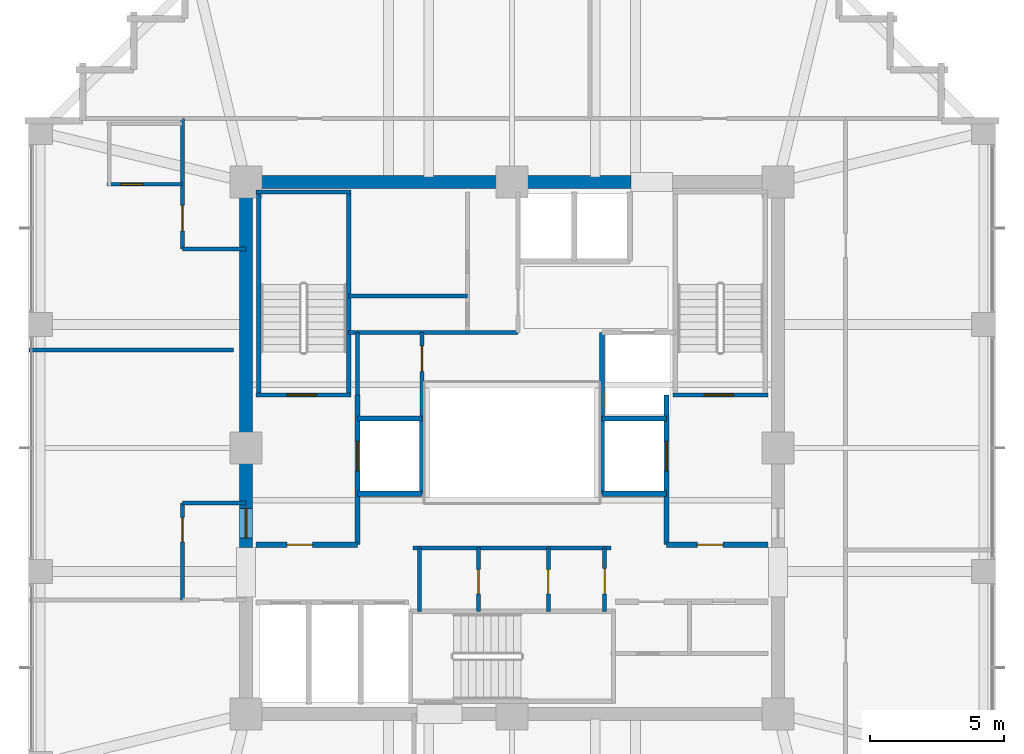
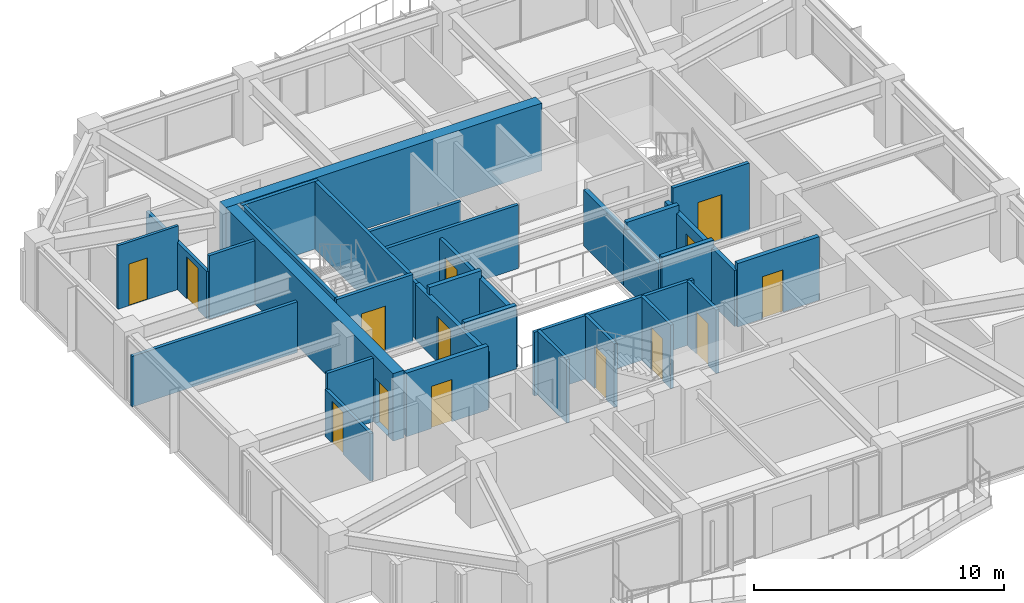
# One storey, part 27 of 31: 33 walls, 14 doors, 14 openings.
"""IFC4 building model written with IfcOpenShell, lengths in metres."""

from ifc_helpers import new_model, si_unit, direction, frame, frame_2d, origin, place, context, subcontext, project, spatial, rectangle, extrude, material, layer, layer_set, type_object, element, fill, save


model = new_model("IFC4")

# Units and contexts
model_context = context("Model", 3, precision=1e-05, world=origin(), true_north=direction((0.0, 1.0)))
body_context = subcontext(model_context, "Body", "Model", "MODEL_VIEW")
ifc_project = project(units=[si_unit("LENGTHUNIT", "METRE"), si_unit("AREAUNIT", "SQUARE_METRE"), si_unit("VOLUMEUNIT", "CUBIC_METRE"), si_unit("PLANEANGLEUNIT", "RADIAN"), si_unit("MASSUNIT", "GRAM", prefix="KILO")], contexts=[model_context])

# Site, building, storey
site_placement = place(None, origin())
site = spatial("IfcSite", under=ifc_project, at=site_placement, CompositionType="ELEMENT")
building_placement = place(site_placement, origin())
building = spatial("IfcBuilding", under=site, at=building_placement, Name="Kolvaren Belvedere", CompositionType="ELEMENT")
storey_placement = place(building_placement, frame((0.0, 0.0, 131.60009765625)))
storey = spatial("IfcBuildingStorey", under=building, at=storey_placement, Name="L38", CompositionType="ELEMENT", Elevation=131.60009765625)

# Wall
ifc_material_1 = material(Name="Concrete C50/60", Category="concrete")
ifc_layer_1 = layer(ifc_material_1, 0.5)
ifc_layer_set_1 = layer_set([ifc_layer_1], Name="Concrete C50/60")
wall_type_1 = type_object("IfcWallType", Name="CW-CORE-500", PredefinedType="SHEAR", material=ifc_layer_set_1)
wall_1_placement = place(storey_placement, frame((-10.14990234375, 9.89990234375, 0.0), z_axis=(0.0, 0.0, 1.0), x_axis=(1.0, 0.0, 0.0)))
element("IfcWall", 1, at=wall_1_placement, inside=storey, type_object=wall_type_1, Name="L38 North Core Shear Wall 1", PredefinedType="SHEAR", context=body_context, shape_type="SweptSolid", body=[
    extrude(rectangle(XDim=14.56982421875, YDim=0.5, at=frame_2d((7.284912109375, 0.0))), origin(), (0.0, 0.0, 1.0), 3.2998046875),
])

# Wall, opening, door
wall_2_placement = place(storey_placement, frame((-9.89990234375, -3.699951171875, 0.0), z_axis=(0.0, 0.0, 1.0), x_axis=(0.0, 1.0, 0.0)))
wall_2 = element("IfcWall", 2, at=wall_2_placement, inside=storey, type_object=wall_type_1, Name="L38 West Core Shear Wall 2", PredefinedType="SHEAR", context=body_context, shape_type="SweptSolid", body=[
    extrude(rectangle(XDim=13.349853515625, YDim=0.5, at=frame_2d((6.6748046875, 0.0))), origin(), (0.0, 0.0, 1.0), 3.2998046875),
])
opening_1_placement = place(wall_2_placement, frame((0.35009765625, 0.0, 0.0)))
opening_1 = element("IfcOpeningElement", 3, at=opening_1_placement, cuts=wall_2, Name="Opening D-FD90", PredefinedType="OPENING", context=body_context, shape_type="SweptSolid", body=[
    extrude(rectangle(XDim=1.10009765625, YDim=2.199951171875, at=frame_2d((0.550048828125, 1.10009765625))), frame((0.0, 0.260009765625, 0.0), z_axis=(0.0, -1.0, 0.0), x_axis=(1.0, 0.0, 0.0)), (0.0, 0.0, 1.0), 0.52001953125),
])
ifc_material_2 = material(Name="Painted hollow stainless steel", Category="steel")
door_type_1 = type_object("IfcDoorType", Name="DR-FD90-1100", OperationType="NOTDEFINED", PredefinedType="DOOR", material=ifc_material_2)
door_1_placement = place(opening_1_placement, origin())
door_1 = element("IfcDoor", 4, at=door_1_placement, inside=storey, type_object=door_type_1, Name="L38 West Firefighting Lobby Fire Door", OperationType="SINGLE_SWING_LEFT", OverallHeight=2.199951171875, OverallWidth=1.10009765625, PredefinedType="DOOR", context=body_context, shape_type="SweptSolid", body=[
    extrude(rectangle(XDim=1.10009765625, YDim=2.199951171875, at=frame_2d((0.550048828125, 1.10009765625))), frame((0.0, 0.02490234375, 0.0), z_axis=(0.0, -1.0, 0.0), x_axis=(1.0, 0.0, 0.0)), (0.0, 0.0, 1.0), 0.050048828125),
])
fill(opening_1, door_1)

ifc_material_3 = material(Name="Concrete C50/60", Category="concrete")
ifc_layer_2 = layer(ifc_material_3, 0.159912109375)
ifc_layer_set_2 = layer_set([ifc_layer_2], Name="Concrete C50/60")
wall_type_2 = type_object("IfcWallType", Name="CW-STAIR-160", PredefinedType="SHEAR", material=ifc_layer_set_2)
wall_3_placement = place(storey_placement, frame((-9.52001953125, 1.969970703125, 0.0), z_axis=(0.0, 0.0, 1.0), x_axis=(1.0, 0.0, 0.0)))
wall_3 = element("IfcWall", 5, at=wall_3_placement, inside=storey, type_object=wall_type_2, Name="L38 Stair ST-1 South Shear Wall", PredefinedType="SHEAR", context=body_context, shape_type="SweptSolid", body=[
    extrude(rectangle(XDim=3.52001953125, YDim=0.159912109375, at=frame_2d((1.760009765625, 0.0))), origin(), (0.0, 0.0, 1.0), 3.2998046875),
])
opening_2_placement = place(wall_3_placement, frame((1.14990234375, 0.0, 0.0)))
opening_2 = element("IfcOpeningElement", 6, at=opening_2_placement, cuts=wall_3, Name="Opening D-FD90", PredefinedType="OPENING", context=body_context, shape_type="SweptSolid", body=[
    extrude(rectangle(XDim=1.10009765625, YDim=2.199951171875, at=frame_2d((0.550048828125, 1.10009765625))), frame((0.0, 0.08984375, 0.0), z_axis=(0.0, -1.0, 0.0), x_axis=(1.0, 0.0, 0.0)), (0.0, 0.0, 1.0), 0.179931640625),
])
door_2_placement = place(opening_2_placement, origin())
door_2 = element("IfcDoor", 7, at=door_2_placement, inside=storey, type_object=door_type_1, Name="L38 Stair ST-1 Fire Door", OperationType="SINGLE_SWING_LEFT", OverallHeight=2.199951171875, OverallWidth=1.10009765625, PredefinedType="DOOR", context=body_context, shape_type="SweptSolid", body=[
    extrude(rectangle(XDim=1.10009765625, YDim=2.199951171875, at=frame_2d((0.550048828125, 1.10009765625))), frame((0.0, 0.02490234375, 0.0), z_axis=(0.0, -1.0, 0.0), x_axis=(1.0, 0.0, 0.0)), (0.0, 0.0, 1.0), 0.050048828125),
])
fill(opening_2, door_2)

# Walls
wall_4_placement = place(storey_placement, frame((-9.52001953125, 9.530029296875, 0.0), z_axis=(0.0, 0.0, 1.0), x_axis=(1.0, 0.0, 0.0)))
element("IfcWall", 8, at=wall_4_placement, inside=storey, type_object=wall_type_2, Name="L38 Stair ST-1 North Shear Wall", PredefinedType="SHEAR", context=body_context, shape_type="SweptSolid", body=[
    extrude(rectangle(XDim=3.52001953125, YDim=0.159912109375, at=frame_2d((1.760009765625, 0.0))), origin(), (0.0, 0.0, 1.0), 3.2998046875),
])
for number, where, z_axis, x_axis, name in (
    (9, (-9.429931640625, 1.969970703125, 0.0), (0.0, 0.0, 1.0), (0.0, 1.0, 0.0), "L38 Stair ST-1 West Shear Wall"),
    (10, (-6.080078125, 1.969970703125, 0.0), (0.0, 0.0, 1.0), (0.0, 1.0, 0.0), "L38 Stair ST-1 East Shear Wall"),
):
    element("IfcWall", number, at=place(storey_placement, frame(where, z_axis=z_axis, x_axis=x_axis)), inside=storey, type_object=wall_type_2, Name=name, PredefinedType="SHEAR", context=body_context, shape_type="SweptSolid", body=[
        extrude(rectangle(XDim=7.56005859375, YDim=0.159912109375, at=frame_2d((3.780029296875, 0.0))), origin(), (0.0, 0.0, 1.0), 3.2998046875),
    ])

# Wall, opening, door
wall_5_placement = place(storey_placement, frame((6.0, 1.969970703125, 0.0), z_axis=(0.0, 0.0, 1.0), x_axis=(1.0, 0.0, 0.0)))
wall_5 = element("IfcWall", 11, at=wall_5_placement, inside=storey, type_object=wall_type_2, Name="L38 Stair ST-2 South Shear Wall", PredefinedType="SHEAR", context=body_context, shape_type="SweptSolid", body=[
    extrude(rectangle(XDim=3.52001953125, YDim=0.159912109375, at=frame_2d((1.760009765625, 0.0))), origin(), (0.0, 0.0, 1.0), 3.2998046875),
])
opening_3_placement = place(wall_5_placement, frame((1.14990234375, 0.0, 0.0)))
opening_3 = element("IfcOpeningElement", 12, at=opening_3_placement, cuts=wall_5, Name="Opening D-FD90", PredefinedType="OPENING", context=body_context, shape_type="SweptSolid", body=[
    extrude(rectangle(XDim=1.10009765625, YDim=2.199951171875, at=frame_2d((0.550048828125, 1.10009765625))), frame((0.0, 0.08984375, 0.0), z_axis=(0.0, -1.0, 0.0), x_axis=(1.0, 0.0, 0.0)), (0.0, 0.0, 1.0), 0.179931640625),
])
door_3_placement = place(opening_3_placement, origin())
door_3 = element("IfcDoor", 13, at=door_3_placement, inside=storey, type_object=door_type_1, Name="L38 Stair ST-2 Fire Door", OperationType="SINGLE_SWING_RIGHT", OverallHeight=2.199951171875, OverallWidth=1.10009765625, PredefinedType="DOOR", context=body_context, shape_type="SweptSolid", body=[
    extrude(rectangle(XDim=1.10009765625, YDim=2.199951171875, at=frame_2d((0.550048828125, 1.10009765625))), frame((0.0, 0.02490234375, 0.0), z_axis=(0.0, -1.0, 0.0), x_axis=(1.0, 0.0, 0.0)), (0.0, 0.0, 1.0), 0.050048828125),
])
fill(opening_3, door_3)

ifc_material_4 = material(Name="Gypsum fire-rated partition assembly", Category="gypsum")
ifc_layer_3 = layer(ifc_material_4, 0.14990234375)
ifc_layer_set_3 = layer_set([ifc_layer_3], Name="Gypsum fire-rated partition assembly")
wall_type_3 = type_object("IfcWallType", Name="WL-CORR-150", PredefinedType="PARTITIONING", material=ifc_layer_set_3)
wall_6_placement = place(storey_placement, frame((-12.260009765625, 7.39990234375, 0.0), z_axis=(0.0, 0.0, 1.0), x_axis=(0.0, 1.0, 0.0)))
wall_6 = element("IfcWall", 14, at=wall_6_placement, inside=storey, type_object=wall_type_3, Name="L38 NW Corridor End Wall", PredefinedType="PARTITIONING", context=body_context, shape_type="SweptSolid", body=[
    extrude(rectangle(XDim=4.860107421875, YDim=0.14990234375, at=frame_2d((2.43017578125, 0.0))), origin(), (0.0, 0.0, 1.0), 2.31201171875),
])
opening_4_placement = place(wall_6_placement, frame((0.682861328125, 0.0, 0.0)))
opening_4 = element("IfcOpeningElement", 15, at=opening_4_placement, cuts=wall_6, Name="Opening D-FD60", PredefinedType="OPENING", context=body_context, shape_type="SweptSolid", body=[
    extrude(rectangle(XDim=0.949951171875, YDim=2.06005859375, at=frame_2d((0.47509765625, 1.030029296875))), frame((0.0, 0.0849609375, 0.0), z_axis=(0.0, -1.0, 0.0), x_axis=(1.0, 0.0, 0.0)), (0.0, 0.0, 1.0), 0.169921875),
])
ifc_material_5 = material(Name="Acoustic white-oak fire door leaf", Category="timber")
door_type_2 = type_object("IfcDoorType", Name="DR-FD60-950", OperationType="NOTDEFINED", PredefinedType="DOOR", material=ifc_material_5)
door_4_placement = place(opening_4_placement, origin())
door_4 = element("IfcDoor", 16, at=door_4_placement, inside=storey, type_object=door_type_2, Name="L38 Panoramic Corner Hospitality Suite 3805 Entry Door", OperationType="SINGLE_SWING_RIGHT", OverallHeight=2.06005859375, OverallWidth=0.949951171875, PredefinedType="DOOR", context=body_context, shape_type="SweptSolid", body=[
    extrude(rectangle(XDim=0.949951171875, YDim=2.06005859375, at=frame_2d((0.47509765625, 1.030029296875))), frame((0.0, 0.02490234375, 0.0), z_axis=(0.0, -1.0, 0.0), x_axis=(1.0, 0.0, 0.0)), (0.0, 0.0, 1.0), 0.050048828125),
])
fill(opening_4, door_4)

# Wall
wall_7_placement = place(storey_placement, frame((-12.260009765625, 7.39990234375, 0.0), z_axis=(0.0, 0.0, 1.0), x_axis=(1.0, 0.0, 0.0)))
element("IfcWall", 17, at=wall_7_placement, inside=storey, type_object=wall_type_3, Name="L38 NW Core Closure Wall", PredefinedType="PARTITIONING", context=body_context, shape_type="SweptSolid", body=[
    extrude(rectangle(XDim=2.360107421875, YDim=0.14990234375, at=frame_2d((1.18017578125, 0.0))), origin(), (0.0, 0.0, 1.0), 3.099853515625),
])

# Wall, opening, door
wall_8_placement = place(storey_placement, frame((-12.260009765625, -5.64990234375, 0.0), z_axis=(0.0, 0.0, 1.0), x_axis=(0.0, 1.0, 0.0)))
wall_8 = element("IfcWall", 18, at=wall_8_placement, inside=storey, type_object=wall_type_3, Name="L38 West FSAE Pocket Wall", PredefinedType="PARTITIONING", context=body_context, shape_type="SweptSolid", body=[
    extrude(rectangle(XDim=3.599853515625, YDim=0.14990234375, at=frame_2d((1.7998046875, 0.0))), origin(), (0.0, 0.0, 1.0), 2.31201171875),
])
opening_5_placement = place(wall_8_placement, frame((2.15625, 0.0, 0.0)))
opening_5 = element("IfcOpeningElement", 19, at=opening_5_placement, cuts=wall_8, Name="Opening D-INT90", PredefinedType="OPENING", context=body_context, shape_type="SweptSolid", body=[
    extrude(rectangle(XDim=0.89990234375, YDim=2.06005859375, at=frame_2d((0.449951171875, 1.030029296875))), frame((0.0, 0.0849609375, 0.0), z_axis=(0.0, -1.0, 0.0), x_axis=(1.0, 0.0, 0.0)), (0.0, 0.0, 1.0), 0.169921875),
])
ifc_material_6 = material(Name="Stained Pacific white oak", Category="timber")
door_type_3 = type_object("IfcDoorType", Name="DR-INT-900", OperationType="NOTDEFINED", PredefinedType="DOOR", material=ifc_material_6)
door_5_placement = place(opening_5_placement, origin())
door_5 = element("IfcDoor", 20, at=door_5_placement, inside=storey, type_object=door_type_3, Name="L38 Lounge 3806 Door", OperationType="SINGLE_SWING_LEFT", OverallHeight=2.06005859375, OverallWidth=0.89990234375, PredefinedType="DOOR", context=body_context, shape_type="SweptSolid", body=[
    extrude(rectangle(XDim=0.89990234375, YDim=2.06005859375, at=frame_2d((0.449951171875, 1.030029296875))), frame((0.0, 0.02490234375, 0.0), z_axis=(0.0, -1.0, 0.0), x_axis=(1.0, 0.0, 0.0)), (0.0, 0.0, 1.0), 0.050048828125),
])
fill(opening_5, door_5)

# Walls
wall_9_placement = place(storey_placement, frame((-12.260009765625, -2.050048828125, 0.0), z_axis=(0.0, 0.0, 1.0), x_axis=(1.0, 0.0, 0.0)))
element("IfcWall", 21, at=wall_9_placement, inside=storey, type_object=wall_type_3, Name="L38 West Pocket North Closure Wall", PredefinedType="PARTITIONING", context=body_context, shape_type="SweptSolid", body=[
    extrude(rectangle(XDim=2.360107421875, YDim=0.14990234375, at=frame_2d((1.18017578125, 0.0))), origin(), (0.0, 0.0, 1.0), 3.099853515625),
])
ifc_material_7 = material(Name="Gypsum acoustic partition assembly", Category="gypsum")
ifc_layer_4 = layer(ifc_material_7, 0.14990234375)
ifc_layer_set_4 = layer_set([ifc_layer_4], Name="Gypsum acoustic partition assembly")
wall_type_4 = type_object("IfcWallType", Name="WL-PART-150", PredefinedType="PARTITIONING", material=ifc_layer_set_4)
wall_10_placement = place(storey_placement, frame((-6.080078125, 4.300048828125, 0.0), z_axis=(0.0, 0.0, 1.0), x_axis=(1.0, 0.0, 0.0)))
element("IfcWall", 22, at=wall_10_placement, inside=storey, type_object=wall_type_4, Name="L38 Reclaimed Salon South Wall", PredefinedType="PARTITIONING", context=body_context, shape_type="SweptSolid", body=[
    extrude(rectangle(XDim=6.300048828125, YDim=0.14990234375, at=frame_2d((3.14990234375, 0.0))), origin(), (0.0, 0.0, 1.0), 3.099853515625),
])
wall_11_placement = place(storey_placement, frame((-6.080078125, 5.64990234375, 0.0), z_axis=(0.0, 0.0, 1.0), x_axis=(1.0, 0.0, 0.0)))
element("IfcWall", 23, at=wall_11_placement, inside=storey, type_object=wall_type_4, Name="L38 Reclaimed Tearoom H-Divider", PredefinedType="PARTITIONING", context=body_context, shape_type="SweptSolid", body=[
    extrude(rectangle(XDim=4.43017578125, YDim=0.14990234375, at=frame_2d((2.215087890625, 0.0))), origin(), (0.0, 0.0, 1.0), 3.099853515625),
])
wall_12_placement = place(storey_placement, frame((-3.679931640625, -3.719970703125, 0.0), z_axis=(0.0, 0.0, 1.0), x_axis=(1.0, 0.0, 0.0)))
element("IfcWall", 24, at=wall_12_placement, inside=storey, type_object=wall_type_4, Name="L38 South Core Service North Wall", PredefinedType="PARTITIONING", context=body_context, shape_type="SweptSolid", body=[
    extrude(rectangle(XDim=7.35986328125, YDim=0.14990234375, at=frame_2d((3.679931640625, 0.0))), origin(), (0.0, 0.0, 1.0), 3.099853515625),
])

# Wall, opening, door
wall_13_placement = place(storey_placement, frame((3.449951171875, -6.080078125, 0.0), z_axis=(0.0, 0.0, 1.0), x_axis=(0.0, 1.0, 0.0)))
wall_13 = element("IfcWall", 25, at=wall_13_placement, inside=storey, type_object=wall_type_4, Name="L38 South Core Service East Wall", PredefinedType="PARTITIONING", context=body_context, shape_type="SweptSolid", body=[
    extrude(rectangle(XDim=2.360107421875, YDim=0.14990234375, at=frame_2d((1.18017578125, 0.0))), origin(), (0.0, 0.0, 1.0), 3.099853515625),
])
opening_6_placement = place(wall_13_placement, frame((0.64990234375, 0.0, 0.0)))
opening_6 = element("IfcOpeningElement", 26, at=opening_6_placement, cuts=wall_13, Name="Opening D-FD60", PredefinedType="OPENING", context=body_context, shape_type="SweptSolid", body=[
    extrude(rectangle(XDim=0.949951171875, YDim=2.06005859375, at=frame_2d((0.47509765625, 1.030029296875))), frame((0.0, 0.0849609375, 0.0), z_axis=(0.0, -1.0, 0.0), x_axis=(1.0, 0.0, 0.0)), (0.0, 0.0, 1.0), 0.169921875),
])
door_6_placement = place(opening_6_placement, origin())
door_6 = element("IfcDoor", 27, at=door_6_placement, inside=storey, type_object=door_type_2, Name="L38 Core Service Room Door", OperationType="SINGLE_SWING_LEFT", OverallHeight=2.06005859375, OverallWidth=0.949951171875, PredefinedType="DOOR", context=body_context, shape_type="SweptSolid", body=[
    extrude(rectangle(XDim=0.949951171875, YDim=2.06005859375, at=frame_2d((0.47509765625, 1.030029296875))), frame((0.0, 0.02490234375, 0.0), z_axis=(0.0, -1.0, 0.0), x_axis=(1.0, 0.0, 0.0)), (0.0, 0.0, 1.0), 0.050048828125),
])
fill(opening_6, door_6)

# Wall
wall_14_placement = place(storey_placement, frame((-3.449951171875, -6.080078125, 0.0), z_axis=(0.0, 0.0, 1.0), x_axis=(0.0, 1.0, 0.0)))
element("IfcWall", 28, at=wall_14_placement, inside=storey, type_object=wall_type_4, Name="L38 South Core Service West Wall", PredefinedType="PARTITIONING", context=body_context, shape_type="SweptSolid", body=[
    extrude(rectangle(XDim=2.360107421875, YDim=0.14990234375, at=frame_2d((1.18017578125, 0.0))), origin(), (0.0, 0.0, 1.0), 3.099853515625),
])

# Wall, opening, door
wall_15_placement = place(storey_placement, frame((1.35009765625, -6.080078125, 0.0), z_axis=(0.0, 0.0, 1.0), x_axis=(0.0, 1.0, 0.0)))
wall_15 = element("IfcWall", 29, at=wall_15_placement, inside=storey, type_object=wall_type_4, Name="L38 Core Service Divider 1", PredefinedType="PARTITIONING", context=body_context, shape_type="SweptSolid", body=[
    extrude(rectangle(XDim=2.360107421875, YDim=0.14990234375, at=frame_2d((1.18017578125, 0.0))), origin(), (0.0, 0.0, 1.0), 3.099853515625),
])
opening_7_placement = place(wall_15_placement, frame((0.64990234375, 0.0, 0.0)))
opening_7 = element("IfcOpeningElement", 30, at=opening_7_placement, cuts=wall_15, Name="Opening D-INT90", PredefinedType="OPENING", context=body_context, shape_type="SweptSolid", body=[
    extrude(rectangle(XDim=0.89990234375, YDim=2.06005859375, at=frame_2d((0.449951171875, 1.030029296875))), frame((0.0, 0.0849609375, 0.0), z_axis=(0.0, -1.0, 0.0), x_axis=(1.0, 0.0, 0.0)), (0.0, 0.0, 1.0), 0.169921875),
])
door_7_placement = place(opening_7_placement, origin())
door_7 = element("IfcDoor", 31, at=door_7_placement, inside=storey, type_object=door_type_3, Name="L38 Data Closet Door", OperationType="SINGLE_SWING_RIGHT", OverallHeight=2.06005859375, OverallWidth=0.89990234375, PredefinedType="DOOR", context=body_context, shape_type="SweptSolid", body=[
    extrude(rectangle(XDim=0.89990234375, YDim=2.06005859375, at=frame_2d((0.449951171875, 1.030029296875))), frame((0.0, 0.02490234375, 0.0), z_axis=(0.0, -1.0, 0.0), x_axis=(1.0, 0.0, 0.0)), (0.0, 0.0, 1.0), 0.050048828125),
])
fill(opening_7, door_7)

wall_16_placement = place(storey_placement, frame((-1.25, -6.080078125, 0.0), z_axis=(0.0, 0.0, 1.0), x_axis=(0.0, 1.0, 0.0)))
wall_16 = element("IfcWall", 32, at=wall_16_placement, inside=storey, type_object=wall_type_4, Name="L38 Core Service Divider 2", PredefinedType="PARTITIONING", context=body_context, shape_type="SweptSolid", body=[
    extrude(rectangle(XDim=2.360107421875, YDim=0.14990234375, at=frame_2d((1.18017578125, 0.0))), origin(), (0.0, 0.0, 1.0), 3.099853515625),
])
opening_8_placement = place(wall_16_placement, frame((0.64990234375, 0.0, 0.0)))
opening_8 = element("IfcOpeningElement", 33, at=opening_8_placement, cuts=wall_16, Name="Opening D-INT90", PredefinedType="OPENING", context=body_context, shape_type="SweptSolid", body=[
    extrude(rectangle(XDim=0.89990234375, YDim=2.06005859375, at=frame_2d((0.449951171875, 1.030029296875))), frame((0.0, 0.0849609375, 0.0), z_axis=(0.0, -1.0, 0.0), x_axis=(1.0, 0.0, 0.0)), (0.0, 0.0, 1.0), 0.169921875),
])
door_8_placement = place(opening_8_placement, origin())
door_8 = element("IfcDoor", 34, at=door_8_placement, inside=storey, type_object=door_type_3, Name="L38 Janitor Room Door", OperationType="SINGLE_SWING_LEFT", OverallHeight=2.06005859375, OverallWidth=0.89990234375, PredefinedType="DOOR", context=body_context, shape_type="SweptSolid", body=[
    extrude(rectangle(XDim=0.89990234375, YDim=2.06005859375, at=frame_2d((0.449951171875, 1.030029296875))), frame((0.0, 0.02490234375, 0.0), z_axis=(0.0, -1.0, 0.0), x_axis=(1.0, 0.0, 0.0)), (0.0, 0.0, 1.0), 0.050048828125),
])
fill(opening_8, door_8)

wall_17_placement = place(storey_placement, frame((-3.35009765625, 1.10009765625, 0.0), z_axis=(0.0, 0.0, 1.0), x_axis=(0.0, 1.0, 0.0)))
wall_17 = element("IfcWall", 35, at=wall_17_placement, inside=storey, type_object=wall_type_4, Name="L38 NW Service Room East Wall", PredefinedType="PARTITIONING", context=body_context, shape_type="SweptSolid", body=[
    extrude(rectangle(XDim=3.199951171875, YDim=0.14990234375, at=frame_2d((1.60009765625, 0.0))), origin(), (0.0, 0.0, 1.0), 2.73486328125),
])
opening_9_placement = place(wall_17_placement, frame((1.75, 0.0, 0.0)))
opening_9 = element("IfcOpeningElement", 36, at=opening_9_placement, cuts=wall_17, Name="Opening D-FD60", PredefinedType="OPENING", context=body_context, shape_type="SweptSolid", body=[
    extrude(rectangle(XDim=0.949951171875, YDim=2.06005859375, at=frame_2d((0.47509765625, 1.030029296875))), frame((0.0, 0.0849609375, 0.0), z_axis=(0.0, -1.0, 0.0), x_axis=(1.0, 0.0, 0.0)), (0.0, 0.0, 1.0), 0.169921875),
])
door_9_placement = place(opening_9_placement, origin())
door_9 = element("IfcDoor", 37, at=door_9_placement, inside=storey, type_object=door_type_2, Name="L38 NW Core Store Door", OperationType="SINGLE_SWING_LEFT", OverallHeight=2.06005859375, OverallWidth=0.949951171875, PredefinedType="DOOR", context=body_context, shape_type="SweptSolid", body=[
    extrude(rectangle(XDim=0.949951171875, YDim=2.06005859375, at=frame_2d((0.47509765625, 1.030029296875))), frame((0.0, 0.02490234375, 0.0), z_axis=(0.0, -1.0, 0.0), x_axis=(1.0, 0.0, 0.0)), (0.0, 0.0, 1.0), 0.050048828125),
])
fill(opening_9, door_9)

# Walls
wall_18_placement = place(storey_placement, frame((-5.75, 1.969970703125, 0.0), z_axis=(0.0, 0.0, 1.0), x_axis=(0.0, 1.0, 0.0)))
element("IfcWall", 38, at=wall_18_placement, inside=storey, type_object=wall_type_4, Name="L38 NW Service Room West Wall", PredefinedType="PARTITIONING", context=body_context, shape_type="SweptSolid", body=[
    extrude(rectangle(XDim=2.330078125, YDim=0.14990234375, at=frame_2d((1.1650390625, 0.0))), origin(), (0.0, 0.0, 1.0), 2.73486328125),
])
wall_19_placement = place(storey_placement, frame((-17.97998046875, 3.64990234375, 0.0), z_axis=(0.0, 0.0, 1.0), x_axis=(1.0, 0.0, 0.0)))
element("IfcWall", 39, at=wall_19_placement, inside=storey, type_object=wall_type_4, Name="L38 West Upper Suite Divider", PredefinedType="PARTITIONING", context=body_context, shape_type="SweptSolid", body=[
    extrude(rectangle(XDim=7.619873046875, YDim=0.14990234375, at=frame_2d((3.81005859375, 0.0))), origin(), (0.0, 0.0, 1.0), 2.468994140625),
])

# Wall, opening, door
ifc_material_8 = material(Name="Concrete C50/60", Category="concrete")
ifc_layer_5 = layer(ifc_material_8, 0.199951171875)
ifc_layer_set_5 = layer_set([ifc_layer_5], Name="Concrete C50/60")
wall_type_5 = type_object("IfcWallType", Name="WL-SHAFT-200", PredefinedType="SOLIDWALL", material=ifc_layer_set_5)
wall_20_placement = place(storey_placement, frame((-9.52001953125, -3.60009765625, 0.0), z_axis=(0.0, 0.0, 1.0), x_axis=(1.0, 0.0, 0.0)))
wall_20 = element("IfcWall", 40, at=wall_20_placement, inside=storey, type_object=wall_type_5, Name="L38 West FSAE Lobby South Wall", PredefinedType="SOLIDWALL", context=body_context, shape_type="SweptSolid", body=[
    extrude(rectangle(XDim=3.77001953125, YDim=0.199951171875, at=frame_2d((1.885009765625, 0.0))), origin(), (0.0, 0.0, 1.0), 3.099853515625),
])
opening_10_placement = place(wall_20_placement, frame((1.14990234375, 0.0, 0.0)))
opening_10 = element("IfcOpeningElement", 41, at=opening_10_placement, cuts=wall_20, Name="Opening D-FD60", PredefinedType="OPENING", context=body_context, shape_type="SweptSolid", body=[
    extrude(rectangle(XDim=0.949951171875, YDim=2.06005859375, at=frame_2d((0.47509765625, 1.030029296875))), frame((0.0, 0.10986328125, 0.0), z_axis=(0.0, -1.0, 0.0), x_axis=(1.0, 0.0, 0.0)), (0.0, 0.0, 1.0), 0.219970703125),
])
door_10_placement = place(opening_10_placement, origin())
door_10 = element("IfcDoor", 42, at=door_10_placement, inside=storey, type_object=door_type_2, Name="L38 Mid-Rise Lift Lobby Fire Door", OperationType="SINGLE_SWING_LEFT", OverallHeight=2.06005859375, OverallWidth=0.949951171875, PredefinedType="DOOR", context=body_context, shape_type="SweptSolid", body=[
    extrude(rectangle(XDim=0.949951171875, YDim=2.06005859375, at=frame_2d((0.47509765625, 1.030029296875))), frame((0.0, 0.02490234375, 0.0), z_axis=(0.0, -1.0, 0.0), x_axis=(1.0, 0.0, 0.0)), (0.0, 0.0, 1.0), 0.050048828125),
])
fill(opening_10, door_10)

wall_21_placement = place(storey_placement, frame((-5.75, -3.60009765625, 0.0), z_axis=(0.0, 0.0, 1.0), x_axis=(0.0, 1.0, 0.0)))
wall_21 = element("IfcWall", 43, at=wall_21_placement, inside=storey, type_object=wall_type_5, Name="L38 FSAE FS1 Landing Wall", PredefinedType="SOLIDWALL", context=body_context, shape_type="SweptSolid", body=[
    extrude(rectangle(XDim=5.570068359375, YDim=0.199951171875, at=frame_2d((2.78515625, 0.0))), origin(), (0.0, 0.0, 1.0), 2.73486328125),
])
opening_11_placement = place(wall_21_placement, frame((2.75, 0.0, 0.0)))
opening_11 = element("IfcOpeningElement", 44, at=opening_11_placement, cuts=wall_21, Name="Opening LD-11", PredefinedType="OPENING", context=body_context, shape_type="SweptSolid", body=[
    extrude(rectangle(XDim=1.10009765625, YDim=2.199951171875, at=frame_2d((0.550048828125, 1.10009765625))), frame((0.0, 0.10986328125, 0.0), z_axis=(0.0, -1.0, 0.0), x_axis=(1.0, 0.0, 0.0)), (0.0, 0.0, 1.0), 0.219970703125),
])
ifc_material_9 = material(Name="Brushed stainless steel", Category="steel")
door_type_4 = type_object("IfcDoorType", Name="DR-LIFT-1100", OperationType="DOUBLE_DOOR_SLIDING", PredefinedType="DOOR", material=ifc_material_9)
door_11_placement = place(opening_11_placement, origin())
door_11 = element("IfcDoor", 45, at=door_11_placement, inside=storey, type_object=door_type_4, Name="L38 Firefighting Lift FS1 Landing Door", OperationType="DOUBLE_DOOR_SLIDING", OverallHeight=2.199951171875, OverallWidth=1.10009765625, PredefinedType="DOOR", context=body_context, shape_type="SweptSolid", body=[
    extrude(rectangle(XDim=1.10009765625, YDim=2.199951171875, at=frame_2d((0.550048828125, 1.10009765625))), frame((0.0, 0.02490234375, 0.0), z_axis=(0.0, -1.0, 0.0), x_axis=(1.0, 0.0, 0.0)), (0.0, 0.0, 1.0), 0.050048828125),
])
fill(opening_11, door_11)

# Walls
wall_22_placement = place(storey_placement, frame((-3.35009765625, -1.699951171875, 0.0), z_axis=(0.0, 0.0, 1.0), x_axis=(0.0, 1.0, 0.0)))
element("IfcWall", 46, at=wall_22_placement, inside=storey, type_object=wall_type_5, Name="L38 FSAE FS1 Back Wall", PredefinedType="SOLIDWALL", context=body_context, shape_type="SweptSolid", body=[
    extrude(rectangle(XDim=2.800048828125, YDim=0.199951171875, at=frame_2d((1.39990234375, 0.0))), origin(), (0.0, 0.0, 1.0), 2.73486328125),
])
for number, where, z_axis, x_axis, name in (
    (47, (-5.75, -1.699951171875, 0.0), (0.0, 0.0, 1.0), (1.0, 0.0, 0.0), "L38 FSAE FS1 South Wall"),
    (48, (-5.75, 1.10009765625, 0.0), (0.0, 0.0, 1.0), (1.0, 0.0, 0.0), "L38 FSAE FS1 North Wall"),
):
    element("IfcWall", number, at=place(storey_placement, frame(where, z_axis=z_axis, x_axis=x_axis)), inside=storey, type_object=wall_type_5, Name=name, PredefinedType="SOLIDWALL", context=body_context, shape_type="SweptSolid", body=[
        extrude(rectangle(XDim=2.39990234375, YDim=0.199951171875, at=frame_2d((1.199951171875, 0.0))), origin(), (0.0, 0.0, 1.0), 3.099853515625),
    ])

# Wall, opening, door
wall_23_placement = place(storey_placement, frame((5.75, -3.60009765625, 0.0), z_axis=(0.0, 0.0, 1.0), x_axis=(1.0, 0.0, 0.0)))
wall_23 = element("IfcWall", 49, at=wall_23_placement, inside=storey, type_object=wall_type_5, Name="L38 East FSAE Lobby South Wall", PredefinedType="SOLIDWALL", context=body_context, shape_type="SweptSolid", body=[
    extrude(rectangle(XDim=3.77001953125, YDim=0.199951171875, at=frame_2d((1.885009765625, 0.0))), origin(), (0.0, 0.0, 1.0), 3.099853515625),
])
opening_12_placement = place(wall_23_placement, frame((1.14990234375, 0.0, 0.0)))
opening_12 = element("IfcOpeningElement", 50, at=opening_12_placement, cuts=wall_23, Name="Opening D-FD60", PredefinedType="OPENING", context=body_context, shape_type="SweptSolid", body=[
    extrude(rectangle(XDim=0.949951171875, YDim=2.06005859375, at=frame_2d((0.47509765625, 1.030029296875))), frame((0.0, 0.10986328125, 0.0), z_axis=(0.0, -1.0, 0.0), x_axis=(1.0, 0.0, 0.0)), (0.0, 0.0, 1.0), 0.219970703125),
])
door_12_placement = place(opening_12_placement, origin())
door_12 = element("IfcDoor", 51, at=door_12_placement, inside=storey, type_object=door_type_2, Name="L38 SE Lift Lobby Fire Door", OperationType="SINGLE_SWING_RIGHT", OverallHeight=2.06005859375, OverallWidth=0.949951171875, PredefinedType="DOOR", context=body_context, shape_type="SweptSolid", body=[
    extrude(rectangle(XDim=0.949951171875, YDim=2.06005859375, at=frame_2d((0.47509765625, 1.030029296875))), frame((0.0, 0.02490234375, 0.0), z_axis=(0.0, -1.0, 0.0), x_axis=(1.0, 0.0, 0.0)), (0.0, 0.0, 1.0), 0.050048828125),
])
fill(opening_12, door_12)

wall_24_placement = place(storey_placement, frame((5.75, -3.60009765625, 0.0), z_axis=(0.0, 0.0, 1.0), x_axis=(0.0, 1.0, 0.0)))
wall_24 = element("IfcWall", 52, at=wall_24_placement, inside=storey, type_object=wall_type_5, Name="L38 FSAE FS2 Landing Wall", PredefinedType="SOLIDWALL", context=body_context, shape_type="SweptSolid", body=[
    extrude(rectangle(XDim=5.570068359375, YDim=0.199951171875, at=frame_2d((2.78515625, 0.0))), origin(), (0.0, 0.0, 1.0), 2.73486328125),
])
opening_13_placement = place(wall_24_placement, frame((2.75, 0.0, 0.0)))
opening_13 = element("IfcOpeningElement", 53, at=opening_13_placement, cuts=wall_24, Name="Opening LD-11", PredefinedType="OPENING", context=body_context, shape_type="SweptSolid", body=[
    extrude(rectangle(XDim=1.10009765625, YDim=2.199951171875, at=frame_2d((0.550048828125, 1.10009765625))), frame((0.0, 0.10986328125, 0.0), z_axis=(0.0, -1.0, 0.0), x_axis=(1.0, 0.0, 0.0)), (0.0, 0.0, 1.0), 0.219970703125),
])
door_13_placement = place(opening_13_placement, origin())
door_13 = element("IfcDoor", 54, at=door_13_placement, inside=storey, type_object=door_type_4, Name="L38 Firefighting Lift FS2 Landing Door", OperationType="DOUBLE_DOOR_SLIDING", OverallHeight=2.199951171875, OverallWidth=1.10009765625, PredefinedType="DOOR", context=body_context, shape_type="SweptSolid", body=[
    extrude(rectangle(XDim=1.10009765625, YDim=2.199951171875, at=frame_2d((0.550048828125, 1.10009765625))), frame((0.0, 0.02490234375, 0.0), z_axis=(0.0, -1.0, 0.0), x_axis=(1.0, 0.0, 0.0)), (0.0, 0.0, 1.0), 0.050048828125),
])
fill(opening_13, door_13)

# Walls
wall_25_placement = place(storey_placement, frame((3.35009765625, -1.699951171875, 0.0), z_axis=(0.0, 0.0, 1.0), x_axis=(0.0, 1.0, 0.0)))
element("IfcWall", 55, at=wall_25_placement, inside=storey, type_object=wall_type_5, Name="L38 FSAE FS2 Back Wall", PredefinedType="SOLIDWALL", context=body_context, shape_type="SweptSolid", body=[
    extrude(rectangle(XDim=2.800048828125, YDim=0.199951171875, at=frame_2d((1.39990234375, 0.0))), origin(), (0.0, 0.0, 1.0), 2.73486328125),
])
for number, where, z_axis, x_axis, name in (
    (56, (3.35009765625, -1.699951171875, 0.0), (0.0, 0.0, 1.0), (1.0, 0.0, 0.0), "L38 FSAE FS2 South Wall"),
    (57, (3.35009765625, 1.10009765625, 0.0), (0.0, 0.0, 1.0), (1.0, 0.0, 0.0), "L38 FSAE FS2 North Wall"),
):
    element("IfcWall", number, at=place(storey_placement, frame(where, z_axis=z_axis, x_axis=x_axis)), inside=storey, type_object=wall_type_5, Name=name, PredefinedType="SOLIDWALL", context=body_context, shape_type="SweptSolid", body=[
        extrude(rectangle(XDim=2.39990234375, YDim=0.199951171875, at=frame_2d((1.199951171875, 0.0))), origin(), (0.0, 0.0, 1.0), 3.099853515625),
    ])
wall_26_placement = place(storey_placement, frame((3.35009765625, 1.10009765625, 0.0), z_axis=(0.0, 0.0, 1.0), x_axis=(0.0, 1.0, 0.0)))
element("IfcWall", 58, at=wall_26_placement, inside=storey, type_object=wall_type_5, Name="L38 Service Lift SV1 West Wall", PredefinedType="SOLIDWALL", context=body_context, shape_type="SweptSolid", body=[
    extrude(rectangle(XDim=3.199951171875, YDim=0.199951171875, at=frame_2d((1.60009765625, 0.0))), origin(), (0.0, 0.0, 1.0), 2.73486328125),
])

# Wall, opening, door
ifc_material_10 = material(Name="Moisture-resistant gypsum partition", Category="gypsum")
ifc_layer_6 = layer(ifc_material_10, 0.125)
ifc_layer_set_6 = layer_set([ifc_layer_6], Name="Moisture-resistant gypsum partition")
wall_type_6 = type_object("IfcWallType", Name="WL-WET-125", PredefinedType="PARTITIONING", material=ifc_layer_set_6)
wall_27_placement = place(storey_placement, frame((-15.06494140625, 9.81494140625, 0.0), z_axis=(0.0, 0.0, 1.0), x_axis=(1.0, 0.0, 0.0)))
wall_27 = element("IfcWall", 59, at=wall_27_placement, inside=storey, type_object=wall_type_6, Name="L38 Bathroom Partition PW-L38-BTH-5-N", PredefinedType="PARTITIONING", context=body_context, shape_type="SweptSolid", body=[
    extrude(rectangle(XDim=2.7900390625, YDim=0.125, at=frame_2d((1.39501953125, 0.0))), origin(), (0.0, 0.0, 1.0), 3.099853515625),
])
opening_14_placement = place(wall_27_placement, frame((0.5, 0.0, 0.0)))
opening_14 = element("IfcOpeningElement", 60, at=opening_14_placement, cuts=wall_27, Name="Opening D-BTH85", PredefinedType="OPENING", context=body_context, shape_type="SweptSolid", body=[
    extrude(rectangle(XDim=0.85009765625, YDim=2.030029296875, at=frame_2d((0.425048828125, 1.01513671875))), frame((0.0, 0.072509765625, 0.0), z_axis=(0.0, -1.0, 0.0), x_axis=(1.0, 0.0, 0.0)), (0.0, 0.0, 1.0), 0.14501953125),
])
ifc_material_11 = material(Name="Moisture-sealed Pacific white oak", Category="timber")
door_type_5 = type_object("IfcDoorType", Name="DR-BATH-850", OperationType="NOTDEFINED", PredefinedType="DOOR", material=ifc_material_11)
door_14_placement = place(opening_14_placement, origin())
door_14 = element("IfcDoor", 61, at=door_14_placement, inside=storey, type_object=door_type_5, Name="L38 En-Suite Bathroom 3805 Door", OperationType="SINGLE_SWING_LEFT", OverallHeight=2.030029296875, OverallWidth=0.85009765625, PredefinedType="DOOR", context=body_context, shape_type="SweptSolid", body=[
    extrude(rectangle(XDim=0.85009765625, YDim=2.030029296875, at=frame_2d((0.425048828125, 1.01513671875))), frame((0.0, 0.02490234375, 0.0), z_axis=(0.0, -1.0, 0.0), x_axis=(1.0, 0.0, 0.0)), (0.0, 0.0, 1.0), 0.050048828125),
])
fill(opening_14, door_14)

save(model, "model.ifc")
